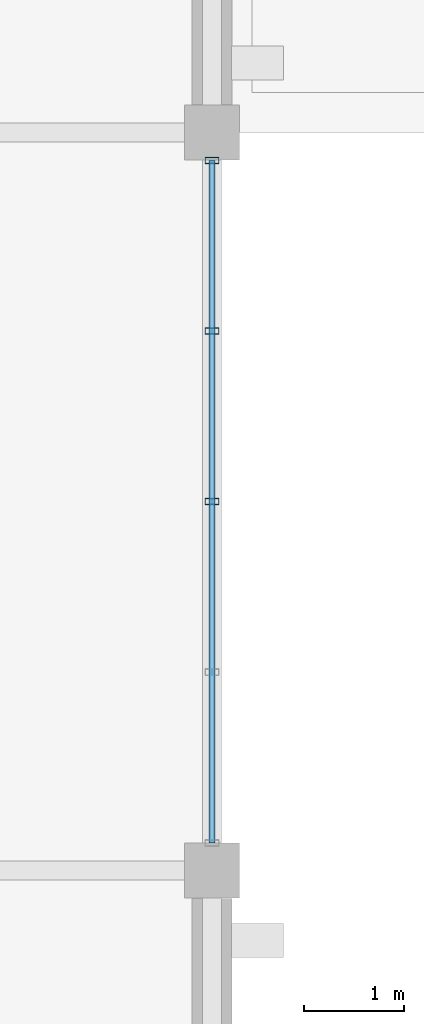
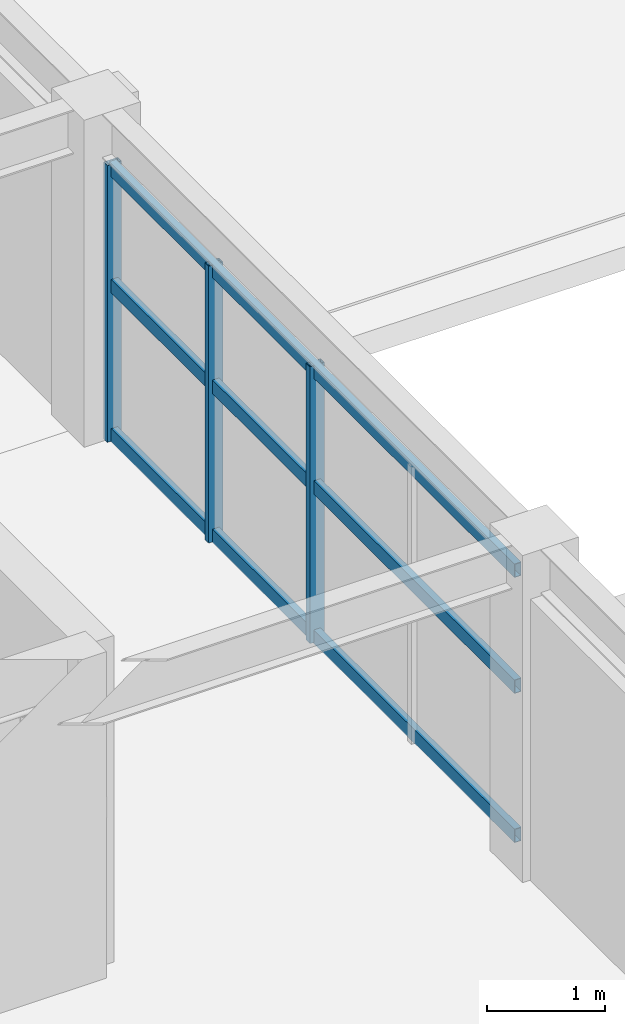
# One storey, part 80 of 121: 6 members, 1 element without a shape of its own.
"""IFC4 building model written with IfcOpenShell, lengths in metres."""

from ifc_helpers import new_model, si_unit, direction, frame, origin, origin_2d, place, context, subcontext, project, spatial, hollow_rectangle, extrude, material, material_profile, profile_set, type_object, element, aggregate, save


model = new_model("IFC4")

# Units and contexts
model_context = context("Model", 3, precision=1e-05, world=origin(), true_north=direction((0.0, 1.0)))
body_context = subcontext(model_context, "Body", "Model", "MODEL_VIEW")
ifc_project = project(units=[si_unit("LENGTHUNIT", "METRE"), si_unit("AREAUNIT", "SQUARE_METRE"), si_unit("VOLUMEUNIT", "CUBIC_METRE"), si_unit("PLANEANGLEUNIT", "RADIAN"), si_unit("MASSUNIT", "GRAM", prefix="KILO")], contexts=[model_context])

# Site, building, storey
site_placement = place(None, origin())
site = spatial("IfcSite", under=ifc_project, at=site_placement, CompositionType="ELEMENT")
building_placement = place(site_placement, origin())
building = spatial("IfcBuilding", under=site, at=building_placement, Name="Cimatlan Art Gallery", CompositionType="ELEMENT")
storey_placement = place(building_placement, frame((0.0, 0.0, 10.199951171875)))
storey = spatial("IfcBuildingStorey", under=building, at=storey_placement, Name="L02", CompositionType="ELEMENT", Elevation=10.199951171875)

# Curtain wall, members
ifc_material_1 = material(Name="Anodised bronze unitised curtain wall")
curtain_wall_type = type_object("IfcCurtainWallType", Name="CW-V-06842X02853-B4", PredefinedType="NOTDEFINED", material=ifc_material_1)
curtain_wall_placement = place(storey_placement, origin())
curtain_wall = element("IfcCurtainWall", 1, at=curtain_wall_placement, inside=storey, type_object=curtain_wall_type, Name="CW-L02-15-06-E", PredefinedType="NOTDEFINED")
ifc_material_2 = material(Name="Anodised bronze aluminium 6063-T6", Category="aluminium")
ifc_material_profile_1 = material_profile(ifc_material_2, hollow_rectangle(XDim=0.06494140625, YDim=0.139892578125, WallThickness=0.00390625, at=origin_2d()), Name="ALU65X140X4")
ifc_profile_set_1 = profile_set([ifc_material_profile_1], Name="Anodised bronze aluminium 6063-T6")
member_type_1 = type_object("IfcMemberType", Name="CW-MUL-140", PredefinedType="MULLION", material=ifc_profile_set_1)
member_1_placement = place(storey_placement, frame((131.60009765625, 53.220947265625, 0.0), z_axis=(0.0, 0.0, 1.0), x_axis=(0.0, 1.0, 0.0)))
member_1 = element("IfcMember", 2, at=member_1_placement, type_object=member_type_1, Name="CW-L02-15-06-E-M1", PredefinedType="MULLION", context=body_context, shape_type="SweptSolid", body=[
    extrude(hollow_rectangle(XDim=0.06494140625, YDim=0.139892578125, WallThickness=0.00390625, at=origin_2d()), origin(), (0.0, 0.0, 1.0), 2.85302734375),
])
member_2_placement = place(storey_placement, frame((131.60009765625, 51.510498046875, 0.0), z_axis=(0.0, 0.0, 1.0), x_axis=(0.0, 1.0, 0.0)))
member_2 = element("IfcMember", 3, at=member_2_placement, type_object=member_type_1, Name="CW-L02-15-06-E-M2", PredefinedType="MULLION", context=body_context, shape_type="SweptSolid", body=[
    extrude(hollow_rectangle(XDim=0.06494140625, YDim=0.139892578125, WallThickness=0.00390625, at=origin_2d()), origin(), (0.0, 0.0, 1.0), 2.85302734375),
])
member_3_placement = place(storey_placement, frame((131.60009765625, 49.800048828125, 0.0), z_axis=(0.0, 0.0, 1.0), x_axis=(0.0, 1.0, 0.0)))
member_3 = element("IfcMember", 4, at=member_3_placement, type_object=member_type_1, Name="CW-L02-15-06-E-M3", PredefinedType="MULLION", context=body_context, shape_type="SweptSolid", body=[
    extrude(hollow_rectangle(XDim=0.06494140625, YDim=0.139892578125, WallThickness=0.00390625, at=origin_2d()), origin(), (0.0, 0.0, 1.0), 2.85302734375),
])
ifc_material_profile_2 = material_profile(ifc_material_2, hollow_rectangle(XDim=0.06494140625, YDim=0.139892578125, WallThickness=0.00390625, at=origin_2d()), Name="ALU65X140X4")
ifc_profile_set_2 = profile_set([ifc_material_profile_2], Name="Anodised bronze aluminium 6063-T6")
member_type_2 = type_object("IfcMemberType", Name="CW-TRN-140", PredefinedType="USERDEFINED", material=ifc_profile_set_2)
member_4_placement = place(storey_placement, frame((131.60009765625, 53.220947265625, 0.06005859375), z_axis=(0.0, -1.0, 0.0), x_axis=(1.0, 0.0, 0.0)))
member_4 = element("IfcMember", 5, at=member_4_placement, type_object=member_type_2, Name="CW-L02-15-06-E-T1", ObjectType="TRANSOM", PredefinedType="USERDEFINED", context=body_context, shape_type="SweptSolid", body=[
    extrude(hollow_rectangle(XDim=0.06494140625, YDim=0.139892578125, WallThickness=0.00390625, at=origin_2d()), origin(), (0.0, 0.0, 1.0), 6.842041015625),
])
member_5_placement = place(storey_placement, frame((131.60009765625, 53.220947265625, 1.59765625), z_axis=(0.0, -1.0, 0.0), x_axis=(1.0, 0.0, 0.0)))
member_5 = element("IfcMember", 6, at=member_5_placement, type_object=member_type_2, Name="CW-L02-15-06-E-T2", ObjectType="TRANSOM", PredefinedType="USERDEFINED", context=body_context, shape_type="SweptSolid", body=[
    extrude(hollow_rectangle(XDim=0.06494140625, YDim=0.139892578125, WallThickness=0.00390625, at=origin_2d()), origin(), (0.0, 0.0, 1.0), 6.842041015625),
])
member_6_placement = place(storey_placement, frame((131.60009765625, 53.220947265625, 2.79296875), z_axis=(0.0, -1.0, 0.0), x_axis=(1.0, 0.0, 0.0)))
member_6 = element("IfcMember", 7, at=member_6_placement, type_object=member_type_2, Name="CW-L02-15-06-E-T3", ObjectType="TRANSOM", PredefinedType="USERDEFINED", context=body_context, shape_type="SweptSolid", body=[
    extrude(hollow_rectangle(XDim=0.06494140625, YDim=0.139892578125, WallThickness=0.00390625, at=origin_2d()), origin(), (0.0, 0.0, 1.0), 6.842041015625),
])
aggregate(curtain_wall, [member_1, member_2, member_3, member_4, member_5, member_6])

save(model, "model.ifc")
